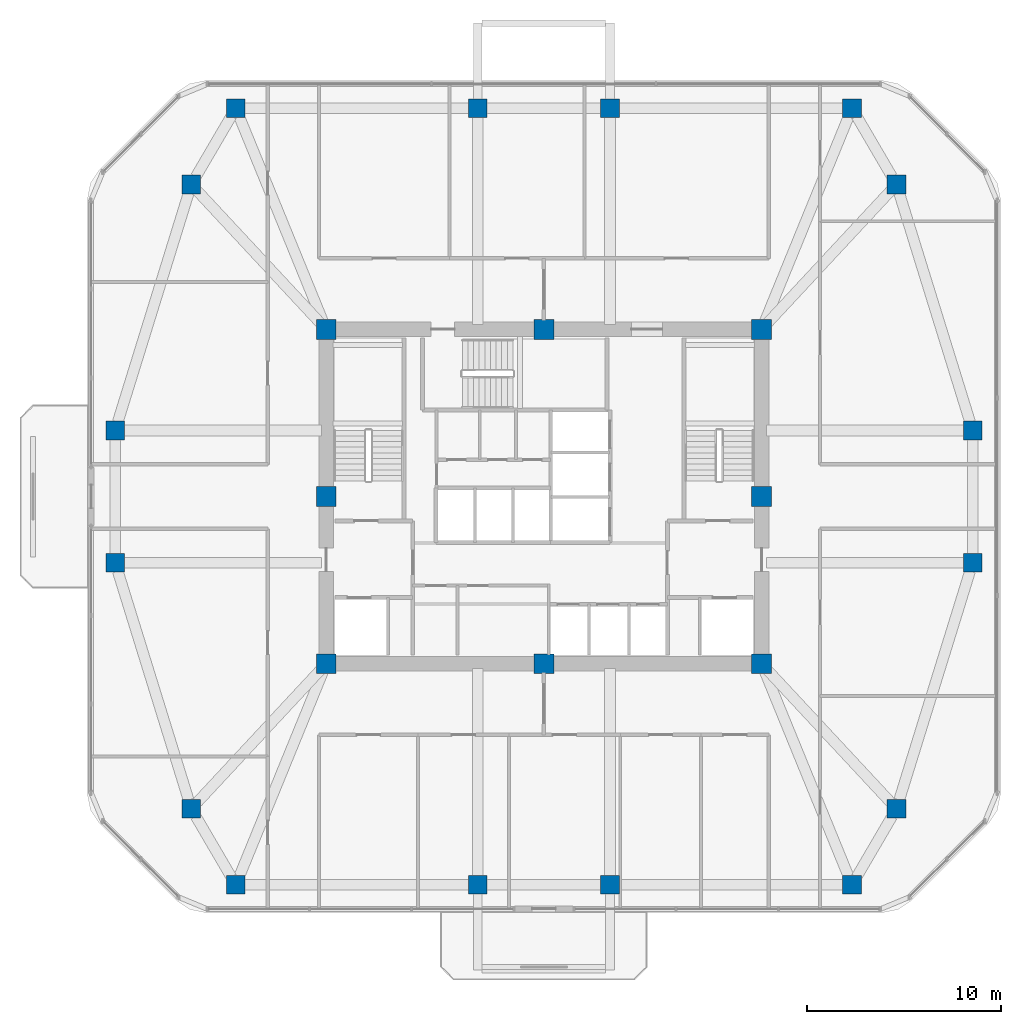
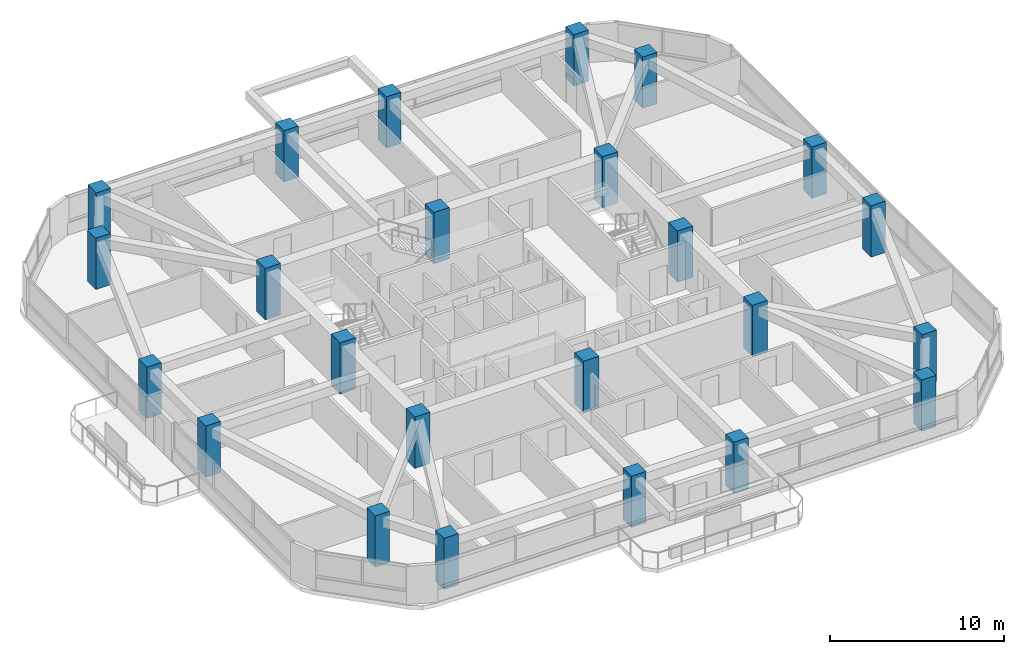
# One storey, part 1 of 12: 24 columns.
"""IFC4 building model written with IfcOpenShell, lengths in metres."""

from ifc_helpers import new_model, si_unit, derived_unit, direction, frame, origin, origin_2d, place, context, subcontext, project, spatial, rectangle, extrude, material, material_profile, profile_set, type_object, element, save


model = new_model("IFC4")

# Units and contexts
model_context = context("Model", 3, precision=1e-05, world=origin(), true_north=direction((0.0, 1.0)))
body_context = subcontext(model_context, "Body", "Model", "MODEL_VIEW")
ifc_project = project(units=[si_unit("LENGTHUNIT", "METRE"), si_unit("AREAUNIT", "SQUARE_METRE"), si_unit("VOLUMEUNIT", "CUBIC_METRE"), si_unit("PLANEANGLEUNIT", "RADIAN"), si_unit("MASSUNIT", "GRAM", prefix="KILO"), derived_unit("THERMALTRANSMITTANCEUNIT", [(si_unit("POWERUNIT", "WATT"), 1), (si_unit("LENGTHUNIT", "METRE"), -2), (si_unit("THERMODYNAMICTEMPERATUREUNIT", "KELVIN"), -1)])], contexts=[model_context])

# Site, building, storey
site_placement = place(None, origin())
site = spatial("IfcSite", under=ifc_project, at=site_placement, CompositionType="ELEMENT")
building_placement = place(site_placement, origin())
building = spatial("IfcBuilding", under=site, at=building_placement, Name="Koralith Skygarden Medical Center", CompositionType="ELEMENT")
storey_placement = place(building_placement, frame((0.0, 0.0, 149.219970703125)))
storey = spatial("IfcBuildingStorey", under=building, at=storey_placement, Name="L38", CompositionType="ELEMENT", Elevation=149.219970703125)

# Columns
ifc_material_1 = material(Name="Concrete C70/85", Category="concrete")
ifc_material_profile_1 = material_profile(ifc_material_1, rectangle(XDim=1.02001953125, YDim=1.02001953125, at=origin_2d()), Name="RC1020X1020")
ifc_profile_set_1 = profile_set([ifc_material_profile_1], Name="Concrete C70/85")
column_type_1 = type_object("IfcColumnType", Name="Core Mega-Column C70 RC1020", PredefinedType="COLUMN", material=ifc_profile_set_1)
for number, where, z_axis, x_axis, name in (
    (1, (25.800048828125, 17.300048828125, 0.0), (0.0, 0.0, 1.0), (1.0, 0.0, 0.0), "L38 Core Column CC-01"),
    (2, (37.0, 17.300048828125, 0.0), (0.0, 0.0, 1.0), (1.0, 0.0, 0.0), "L38 Core Column CC-02"),
    (3, (48.199951171875, 17.300048828125, 0.0), (0.0, 0.0, 1.0), (1.0, 0.0, 0.0), "L38 Core Column CC-03"),
    (4, (48.199951171875, 25.89990234375, 0.0), (0.0, 0.0, 1.0), (1.0, 0.0, 0.0), "L38 Core Column CC-04"),
    (5, (48.199951171875, 34.5, 0.0), (0.0, 0.0, 1.0), (1.0, 0.0, 0.0), "L38 Core Column CC-05"),
    (6, (37.0, 34.5, 0.0), (0.0, 0.0, 1.0), (1.0, 0.0, 0.0), "L38 Core Column CC-06"),
    (7, (25.800048828125, 34.5, 0.0), (0.0, 0.0, 1.0), (1.0, 0.0, 0.0), "L38 Core Column CC-07"),
    (8, (25.800048828125, 25.89990234375, 0.0), (0.0, 0.0, 1.0), (1.0, 0.0, 0.0), "L38 Core Column CC-08"),
):
    element("IfcColumn", number, at=place(storey_placement, frame(where, z_axis=z_axis, x_axis=x_axis)), inside=storey, type_object=column_type_1, Name=name, PredefinedType="COLUMN", context=body_context, shape_type="SweptSolid", body=[
        extrude(rectangle(XDim=1.02001953125, YDim=1.02001953125, at=origin_2d()), origin(), (0.0, 0.0, 1.0), 3.60009765625),
    ])
ifc_material_2 = material(Name="Concrete C55/67", Category="concrete")
ifc_material_profile_2 = material_profile(ifc_material_2, rectangle(XDim=0.9599609375, YDim=0.9599609375, at=origin_2d()), Name="RC960X960")
ifc_profile_set_2 = profile_set([ifc_material_profile_2], Name="Concrete C55/67")
column_type_2 = type_object("IfcColumnType", Name="Zone 3 Waist Mega-Column C55 RC960", PredefinedType="COLUMN", material=ifc_profile_set_2)
for number, where, z_axis, x_axis, name in (
    (9, (14.93603515625, 22.5, 0.0), (0.0, 0.0, 1.0), (1.0, 0.0, 0.0), "L38 Perimeter Mega-Column MC-01"),
    (10, (18.85595703125, 9.840087890625, 0.0), (0.0, 0.0, 1.0), (1.0, 0.0, 0.0), "L38 Perimeter Mega-Column MC-02"),
    (11, (21.14794921875, 5.919921875, 0.0), (0.0, 0.0, 1.0), (1.0, 0.0, 0.0), "L38 Perimeter Mega-Column MC-03"),
    (12, (33.60009765625, 5.919921875, 0.0), (0.0, 0.0, 1.0), (1.0, 0.0, 0.0), "L38 Perimeter Mega-Column MC-04"),
    (13, (40.39990234375, 5.919921875, 0.0), (0.0, 0.0, 1.0), (1.0, 0.0, 0.0), "L38 Perimeter Mega-Column MC-05"),
    (14, (52.85205078125, 5.919921875, 0.0), (0.0, 0.0, 1.0), (1.0, 0.0, 0.0), "L38 Perimeter Mega-Column MC-06"),
    (15, (55.14404296875, 9.840087890625, 0.0), (0.0, 0.0, 1.0), (1.0, 0.0, 0.0), "L38 Perimeter Mega-Column MC-07"),
    (16, (59.06396484375, 22.5, 0.0), (0.0, 0.0, 1.0), (1.0, 0.0, 0.0), "L38 Perimeter Mega-Column MC-08"),
    (17, (59.06396484375, 29.300048828125, 0.0), (0.0, 0.0, 1.0), (1.0, 0.0, 0.0), "L38 Perimeter Mega-Column MC-09"),
    (18, (55.14404296875, 41.9599609375, 0.0), (0.0, 0.0, 1.0), (1.0, 0.0, 0.0), "L38 Perimeter Mega-Column MC-10"),
    (19, (52.85205078125, 45.8798828125, 0.0), (0.0, 0.0, 1.0), (1.0, 0.0, 0.0), "L38 Perimeter Mega-Column MC-11"),
    (20, (40.39990234375, 45.8798828125, 0.0), (0.0, 0.0, 1.0), (1.0, 0.0, 0.0), "L38 Perimeter Mega-Column MC-12"),
    (21, (33.60009765625, 45.8798828125, 0.0), (0.0, 0.0, 1.0), (1.0, 0.0, 0.0), "L38 Perimeter Mega-Column MC-13"),
    (22, (21.14794921875, 45.8798828125, 0.0), (0.0, 0.0, 1.0), (1.0, 0.0, 0.0), "L38 Perimeter Mega-Column MC-14"),
    (23, (18.85595703125, 41.9599609375, 0.0), (0.0, 0.0, 1.0), (1.0, 0.0, 0.0), "L38 Perimeter Mega-Column MC-15"),
    (24, (14.93603515625, 29.300048828125, 0.0), (0.0, 0.0, 1.0), (1.0, 0.0, 0.0), "L38 Perimeter Mega-Column MC-16"),
):
    element("IfcColumn", number, at=place(storey_placement, frame(where, z_axis=z_axis, x_axis=x_axis)), inside=storey, type_object=column_type_2, Name=name, PredefinedType="COLUMN", context=body_context, shape_type="SweptSolid", body=[
        extrude(rectangle(XDim=0.9599609375, YDim=0.9599609375, at=origin_2d()), origin(), (0.0, 0.0, 1.0), 3.60009765625),
    ])

save(model, "model.ifc")
